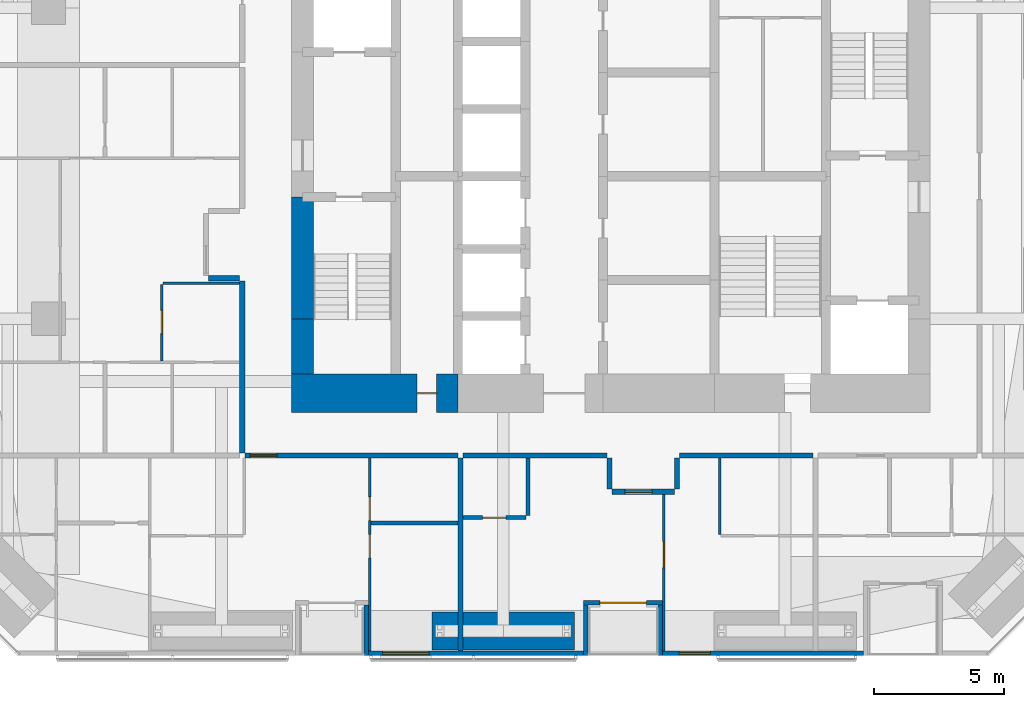
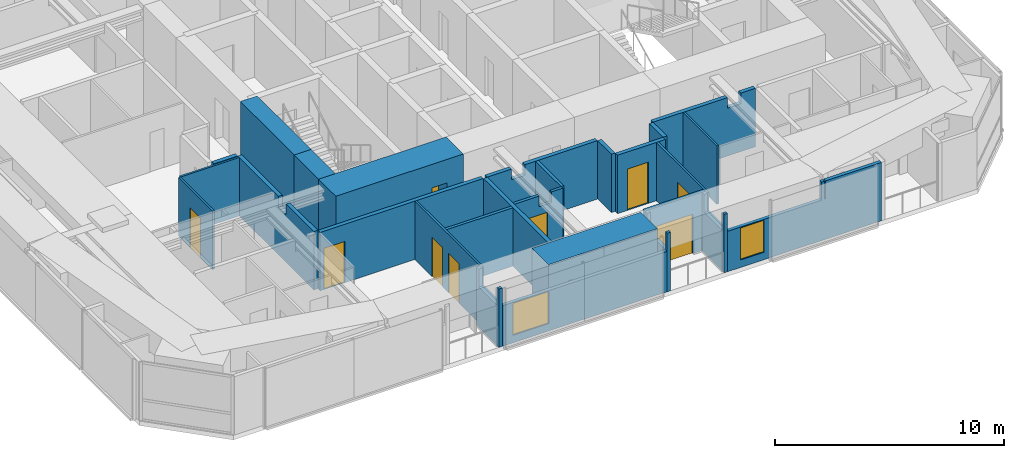
# One storey, part 17 of 23: 27 walls, 9 doors, 2 windows, 11 openings.
"""IFC4 building model written with IfcOpenShell, lengths in metres."""

from ifc_helpers import new_model, si_unit, direction, frame, frame_2d, origin, place, context, subcontext, project, spatial, polyline, rectangle, outline, extrude, material, layer, layer_set, constituent, constituent_set, type_object, element, fill, save


model = new_model("IFC4")

# Units and contexts
model_context = context("Model", 3, precision=1e-05, world=origin(), true_north=direction((0.0, 1.0)))
body_context = subcontext(model_context, "Body", "Model", "MODEL_VIEW")
ifc_project = project(units=[si_unit("LENGTHUNIT", "METRE"), si_unit("AREAUNIT", "SQUARE_METRE"), si_unit("VOLUMEUNIT", "CUBIC_METRE"), si_unit("PLANEANGLEUNIT", "RADIAN"), si_unit("MASSUNIT", "GRAM", prefix="KILO")], contexts=[model_context])

# Site, building, storey
site_placement = place(None, origin())
site = spatial("IfcSite", under=ifc_project, at=site_placement, CompositionType="ELEMENT")
building_placement = place(site_placement, origin())
building = spatial("IfcBuilding", under=site, at=building_placement, Name="Jalousie Tower", CompositionType="ELEMENT")
storey_placement = place(building_placement, frame((0.0, 0.0, 104.85009765625)))
storey = spatial("IfcBuildingStorey", under=building, at=storey_placement, Name="L28", CompositionType="ELEMENT", Elevation=104.85009765625)

# Wall
ifc_material_1 = material(Name="Concrete block ASTM C90", Category="concrete")
ifc_constituent_1 = constituent(ifc_material_1, Name="Body")
ifc_material_2 = material(Name="Render")
ifc_constituent_2 = constituent(ifc_material_2, Name="Finish")
ifc_constituent_set_1 = constituent_set(constituents=[ifc_constituent_1, ifc_constituent_2])
wall_type_1 = type_object("IfcWallType", Name="BATHROOM WALL 150", PredefinedType="PLUMBINGWALL", material=ifc_constituent_set_1)
wall_1_placement = place(storey_placement, frame((22.64990234375, 5.125, 0.0), z_axis=(0.0, 0.0, 1.0), x_axis=(1.0, 0.0, 0.0)))
element("IfcWall", 1, at=wall_1_placement, inside=storey, type_object=wall_type_1, Name="Bathroom Wall 150 L28", PredefinedType="PLUMBINGWALL", context=body_context, shape_type="SweptSolid", body=[
    extrude(rectangle(XDim=3.35009765625, YDim=0.14990234375, at=frame_2d((1.675048828125, 0.0))), origin(), (0.0, 0.0, 1.0), 3.10986328125),
])

# Wall, opening, door
wall_2_placement = place(storey_placement, frame((26.199951171875, 5.324951171875, 0.0), z_axis=(0.0, 0.0, 1.0), x_axis=(1.0, 0.0, 0.0)))
wall_2 = element("IfcWall", 2, at=wall_2_placement, inside=storey, type_object=wall_type_1, Name="Bathroom Wall 150 L28", PredefinedType="PLUMBINGWALL", context=body_context, shape_type="SweptSolid", body=[
    extrude(outline(polyline([(0.0, 0.0), (2.425048828125, 0.0), (2.425048828125, 3.10986328125), (1.8623046875, 3.10986328125), (1.8623046875, 2.541015625), (1.237548828125, 2.541015625), (1.237548828125, 3.10986328125), (0.0, 3.10986328125), (0.0, 0.0)])), frame((0.0, 0.074951171875, 0.0), z_axis=(0.0, -1.0, 0.0), x_axis=(1.0, 0.0, 0.0)), (0.0, 0.0, 1.0), 0.14990234375),
])
opening_1_placement = place(wall_2_placement, frame((0.75, 0.0, 0.0)))
opening_1 = element("IfcOpeningElement", 3, at=opening_1_placement, cuts=wall_2, Name="Opening D3", PredefinedType="OPENING", context=body_context, shape_type="SweptSolid", body=[
    extrude(rectangle(XDim=0.89990234375, YDim=2.10009765625, at=frame_2d((0.449951171875, 1.050048828125))), frame((0.0, 0.0849609375, 0.0), z_axis=(0.0, -1.0, 0.0), x_axis=(1.0, 0.0, 0.0)), (0.0, 0.0, 1.0), 0.169921875),
])
ifc_material_3 = material(Name="Timber door", Category="wood")
door_type_1 = type_object("IfcDoorType", Name="BATHROOM DOOR 900", OperationType="SINGLE_SWING_LEFT", PredefinedType="DOOR", material=ifc_material_3)
door_1_placement = place(opening_1_placement, origin())
door_1 = element("IfcDoor", 4, at=door_1_placement, inside=storey, type_object=door_type_1, Name="Apartment 2802 bathroom door", OperationType="SINGLE_SWING_LEFT", OverallHeight=2.10009765625, OverallWidth=0.89990234375, PredefinedType="DOOR", context=body_context, shape_type="SweptSolid", body=[
    extrude(rectangle(XDim=0.89990234375, YDim=2.10009765625, at=frame_2d((0.449951171875, 1.050048828125))), frame((0.0, 0.02490234375, 0.0), z_axis=(0.0, -1.0, 0.0), x_axis=(1.0, 0.0, 0.0)), (0.0, 0.0, 1.0), 0.050048828125),
])
fill(opening_1, door_1)

# Wall
wall_3_placement = place(storey_placement, frame((28.699951171875, 5.39990234375, 0.0), z_axis=(0.0, 0.0, 1.0), x_axis=(0.0, 1.0, 0.0)))
element("IfcWall", 5, at=wall_3_placement, inside=storey, type_object=wall_type_1, Name="Bathroom Wall 150 L28", PredefinedType="PLUMBINGWALL", context=body_context, shape_type="SweptSolid", body=[
    extrude(rectangle(XDim=2.22509765625, YDim=0.14990234375, at=frame_2d((1.112548828125, 0.0))), origin(), (0.0, 0.0, 1.0), 3.10986328125),
])

# Wall, opening, door
ifc_material_4 = material(Name="Concrete f'c 120 MPa", Category="concrete")
ifc_layer_1 = layer(ifc_material_4, 1.5)
ifc_layer_set_1 = layer_set([ifc_layer_1], Name="Concrete f'c 120 MPa")
wall_type_2 = type_object("IfcWallType", Name="CORE WALL 1500", PredefinedType="SHEAR", material=ifc_layer_set_1)
wall_4_placement = place(storey_placement, frame((19.574951171875, 10.125, 0.0), z_axis=(0.0, 0.0, 1.0), x_axis=(1.0, 0.0, 0.0)))
wall_4 = element("IfcWall", 6, at=wall_4_placement, inside=storey, type_object=wall_type_2, Name="Core wall SA L28", PredefinedType="SHEAR", context=body_context, shape_type="SweptSolid", body=[
    extrude(rectangle(XDim=6.425048828125, YDim=1.5, at=frame_2d((3.21240234375, 0.0))), origin(), (0.0, 0.0, 1.0), 3.349853515625),
])
opening_2_placement = place(wall_4_placement, frame((4.85009765625, 0.0, 0.0)))
opening_2 = element("IfcOpeningElement", 7, at=opening_2_placement, cuts=wall_4, Name="Opening D16", PredefinedType="OPENING", context=body_context, shape_type="SweptSolid", body=[
    extrude(rectangle(XDim=0.75, YDim=2.10009765625, at=frame_2d((0.375, 1.050048828125))), frame((0.0, 0.760009765625, 0.0), z_axis=(0.0, -1.0, 0.0), x_axis=(1.0, 0.0, 0.0)), (0.0, 0.0, 1.0), 1.52001953125),
])
ifc_material_5 = material(Name="Steel fire door", Category="steel")
door_type_2 = type_object("IfcDoorType", Name="RISER DOOR 750", OperationType="SINGLE_SWING_LEFT", PredefinedType="DOOR", material=ifc_material_5)
door_2_placement = place(opening_2_placement, origin())
door_2 = element("IfcDoor", 8, at=door_2_placement, inside=storey, type_object=door_type_2, Name="South riser door", OperationType="SINGLE_SWING_LEFT", OverallHeight=2.10009765625, OverallWidth=0.75, PredefinedType="DOOR", context=body_context, shape_type="SweptSolid", body=[
    extrude(rectangle(XDim=0.75, YDim=2.10009765625, at=frame_2d((0.375, 1.050048828125))), frame((0.0, 0.02490234375, 0.0), z_axis=(0.0, -1.0, 0.0), x_axis=(1.0, 0.0, 0.0)), (0.0, 0.0, 1.0), 0.050048828125),
])
fill(opening_2, door_2)

# Walls
ifc_material_6 = material(Name="Concrete f'c 120 MPa", Category="concrete")
ifc_layer_2 = layer(ifc_material_6, 0.85009765625)
ifc_layer_set_2 = layer_set([ifc_layer_2], Name="Concrete f'c 120 MPa")
wall_type_3 = type_object("IfcWallType", Name="CORE WALL 850", PredefinedType="SHEAR", material=ifc_layer_set_2)
wall_5_placement = place(storey_placement, frame((20.0, 17.699951171875, 0.0), z_axis=(0.0, 0.0, 1.0), x_axis=(0.0, -1.0, 0.0)))
element("IfcWall", 9, at=wall_5_placement, inside=storey, type_object=wall_type_3, Name="Core wall WC L28", PredefinedType="SHEAR", context=body_context, shape_type="SweptSolid", body=[
    extrude(rectangle(XDim=4.699951171875, YDim=0.85009765625, at=frame_2d((2.35009765625, 0.0))), origin(), (0.0, 0.0, 1.0), 3.349853515625),
])
wall_6_placement = place(storey_placement, frame((20.0, 13.0, 0.0), z_axis=(0.0, 0.0, 1.0), x_axis=(0.0, -1.0, 0.0)))
element("IfcWall", 10, at=wall_6_placement, inside=storey, type_object=wall_type_3, Name="Core wall WD L28", PredefinedType="SHEAR", context=body_context, shape_type="SweptSolid", body=[
    extrude(rectangle(XDim=2.125, YDim=0.85009765625, at=frame_2d((1.0625, 0.0))), origin(), (0.0, 0.0, 1.0), 3.349853515625),
])

# Wall, opening, door
ifc_material_7 = material(Name="Concrete block ASTM C90", Category="concrete")
ifc_constituent_3 = constituent(ifc_material_7, Name="Body")
ifc_material_8 = material(Name="Render")
ifc_constituent_4 = constituent(ifc_material_8, Name="Finish")
ifc_constituent_set_2 = constituent_set(constituents=[ifc_constituent_3, ifc_constituent_4])
wall_type_4 = type_object("IfcWallType", Name="CORRIDOR WALL 200", PredefinedType="PARTITIONING", material=ifc_constituent_set_2)
wall_7_placement = place(storey_placement, frame((17.77490234375, 7.72509765625, 0.0), z_axis=(0.0, 0.0, 1.0), x_axis=(1.0, 0.0, 0.0)))
wall_7 = element("IfcWall", 11, at=wall_7_placement, inside=storey, type_object=wall_type_4, Name="Corridor Wall 200 L28", PredefinedType="PARTITIONING", context=body_context, shape_type="SweptSolid", body=[
    extrude(rectangle(XDim=8.22509765625, YDim=0.199951171875, at=frame_2d((4.112548828125, 0.0))), origin(), (0.0, 0.0, 1.0), 3.10986328125),
])
opening_3_placement = place(wall_7_placement, frame((0.199951171875, 0.0, 0.0)))
opening_3 = element("IfcOpeningElement", 12, at=opening_3_placement, cuts=wall_7, Name="Opening D1", PredefinedType="OPENING", context=body_context, shape_type="SweptSolid", body=[
    extrude(rectangle(XDim=1.050048828125, YDim=2.199951171875, at=frame_2d((0.52490234375, 1.10009765625))), frame((0.0, 0.10986328125, 0.0), z_axis=(0.0, -1.0, 0.0), x_axis=(1.0, 0.0, 0.0)), (0.0, 0.0, 1.0), 0.219970703125),
])
ifc_material_9 = material(Name="Timber fire door", Category="wood")
door_type_3 = type_object("IfcDoorType", Name="APARTMENT ENTRANCE DOOR 1050", OperationType="SINGLE_SWING_LEFT", PredefinedType="DOOR", material=ifc_material_9)
door_3_placement = place(opening_3_placement, frame((1.050048828125, 0.0, 0.0), z_axis=(0.0, 0.0, 1.0), x_axis=(-1.0, 0.0, 0.0)))
door_3 = element("IfcDoor", 13, at=door_3_placement, inside=storey, type_object=door_type_3, Name="Apartment 2801 entrance", OperationType="SINGLE_SWING_RIGHT", OverallHeight=2.199951171875, OverallWidth=1.050048828125, PredefinedType="DOOR", context=body_context, shape_type="SweptSolid", body=[
    extrude(rectangle(XDim=1.050048828125, YDim=2.199951171875, at=frame_2d((0.52490234375, 1.10009765625))), frame((0.0, 0.02490234375, 0.0), z_axis=(0.0, -1.0, 0.0), x_axis=(1.0, 0.0, 0.0)), (0.0, 0.0, 1.0), 0.050048828125),
])
fill(opening_3, door_3)

# Walls
wall_8_placement = place(storey_placement, frame((26.199951171875, 7.72509765625, 0.0), z_axis=(0.0, 0.0, 1.0), x_axis=(1.0, 0.0, 0.0)))
element("IfcWall", 14, at=wall_8_placement, inside=storey, type_object=wall_type_4, Name="Corridor Wall 200 L28", PredefinedType="PARTITIONING", context=body_context, shape_type="SweptSolid", body=[
    extrude(outline(polyline([(0.0, 0.0), (5.550048828125, 0.0), (5.550048828125, 3.10986328125), (1.88720703125, 3.10986328125), (1.88720703125, 2.541015625), (1.212646484375, 2.541015625), (1.212646484375, 3.10986328125), (0.0, 3.10986328125), (0.0, 0.0)])), frame((0.0, 0.10009765625, 0.0), z_axis=(0.0, -1.0, 0.0), x_axis=(1.0, 0.0, 0.0)), (0.0, 0.0, 1.0), 0.199951171875),
])
wall_9_placement = place(storey_placement, frame((17.675048828125, 7.824951171875, 0.0), z_axis=(0.0, 0.0, 1.0), x_axis=(0.0, 1.0, 0.0)))
element("IfcWall", 15, at=wall_9_placement, inside=storey, type_object=wall_type_4, Name="Corridor Wall 200 L28", PredefinedType="PARTITIONING", context=body_context, shape_type="SweptSolid", body=[
    extrude(outline(polyline([(0.0, 0.0), (6.637451171875, 0.0), (6.637451171875, 3.10986328125), (3.08740234375, 3.10986328125), (3.08740234375, 2.541015625), (2.41259765625, 2.541015625), (2.41259765625, 3.10986328125), (0.0, 3.10986328125), (0.0, 0.0)])), frame((0.0, 0.10009765625, 0.0), z_axis=(0.0, -1.0, 0.0), x_axis=(1.0, 0.0, 0.0)), (0.0, 0.0, 1.0), 0.199951171875),
])
wall_10_placement = place(storey_placement, frame((34.550048828125, 7.72509765625, 0.0), z_axis=(0.0, 0.0, 1.0), x_axis=(1.0, 0.0, 0.0)))
element("IfcWall", 16, at=wall_10_placement, inside=storey, type_object=wall_type_4, Name="Corridor Wall 200 L28", PredefinedType="PARTITIONING", context=body_context, shape_type="SweptSolid", body=[
    extrude(outline(polyline([(0.0, 0.0), (5.14990234375, 0.0), (5.14990234375, 3.10986328125), (4.412353515625, 3.10986328125), (4.412353515625, 2.541015625), (3.737548828125, 2.541015625), (3.737548828125, 3.10986328125), (0.0, 3.10986328125), (0.0, 0.0)])), frame((0.0, 0.10009765625, 0.0), z_axis=(0.0, -1.0, 0.0), x_axis=(1.0, 0.0, 0.0)), (0.0, 0.0, 1.0), 0.199951171875),
])

# Wall, opening, door
wall_11_placement = place(storey_placement, frame((31.949951171875, 6.324951171875, 0.0), z_axis=(0.0, 0.0, 1.0), x_axis=(1.0, 0.0, 0.0)))
wall_11 = element("IfcWall", 17, at=wall_11_placement, inside=storey, type_object=wall_type_4, Name="Corridor Wall 200 L28", PredefinedType="PARTITIONING", context=body_context, shape_type="SweptSolid", body=[
    extrude(rectangle(XDim=2.400146484375, YDim=0.199951171875, at=frame_2d((1.2001953125, 0.0))), origin(), (0.0, 0.0, 1.0), 3.10986328125),
])
opening_4_placement = place(wall_11_placement, frame((0.5, 0.0, 0.0)))
opening_4 = element("IfcOpeningElement", 18, at=opening_4_placement, cuts=wall_11, Name="Opening D1", PredefinedType="OPENING", context=body_context, shape_type="SweptSolid", body=[
    extrude(rectangle(XDim=1.050048828125, YDim=2.199951171875, at=frame_2d((0.52490234375, 1.10009765625))), frame((0.0, 0.10986328125, 0.0), z_axis=(0.0, -1.0, 0.0), x_axis=(1.0, 0.0, 0.0)), (0.0, 0.0, 1.0), 0.219970703125),
])
door_4_placement = place(opening_4_placement, frame((1.050048828125, 0.0, 0.0), z_axis=(0.0, 0.0, 1.0), x_axis=(-1.0, 0.0, 0.0)))
door_4 = element("IfcDoor", 19, at=door_4_placement, inside=storey, type_object=door_type_3, Name="Apartment 2802 entrance", OperationType="SINGLE_SWING_LEFT", OverallHeight=2.199951171875, OverallWidth=1.050048828125, PredefinedType="DOOR", context=body_context, shape_type="SweptSolid", body=[
    extrude(rectangle(XDim=1.050048828125, YDim=2.199951171875, at=frame_2d((0.52490234375, 1.10009765625))), frame((0.0, 0.02490234375, 0.0), z_axis=(0.0, -1.0, 0.0), x_axis=(1.0, 0.0, 0.0)), (0.0, 0.0, 1.0), 0.050048828125),
])
fill(opening_4, door_4)

# Walls
for number, where, z_axis, x_axis, name in (
    (20, (31.85009765625, 7.625, 0.0), (0.0, 0.0, 1.0), (0.0, -1.0, 0.0), "Corridor Wall 200 L28"),
    (21, (34.449951171875, 7.625, 0.0), (0.0, 0.0, 1.0), (0.0, -1.0, 0.0), "Corridor Wall 200 L28"),
    (22, (17.574951171875, 14.5625, 0.0), (0.0, 0.0, 1.0), (-1.0, 0.0, 0.0), "Corridor Wall 200 L28"),
):
    element("IfcWall", number, at=place(storey_placement, frame(where, z_axis=z_axis, x_axis=x_axis)), inside=storey, type_object=wall_type_4, Name=name, PredefinedType="PARTITIONING", context=body_context, shape_type="SweptSolid", body=[
        extrude(rectangle(XDim=1.199951171875, YDim=0.199951171875, at=frame_2d((0.60009765625, 0.0))), origin(), (0.0, 0.0, 1.0), 3.10986328125),
    ])

# Wall, opening, window
ifc_material_10 = material(Name="Concrete f'c 40 MPa", Category="concrete")
ifc_constituent_5 = constituent(ifc_material_10, Name="Body")
ifc_material_11 = material(Name="Render, pastel sea green")
ifc_constituent_6 = constituent(ifc_material_11, Name="Finish")
ifc_constituent_set_3 = constituent_set(constituents=[ifc_constituent_5, ifc_constituent_6])
wall_type_5 = type_object("IfcWallType", Name="EXTERNAL WALL 175 SEA GREEN RENDER", PredefinedType="SOLIDWALL", material=ifc_constituent_set_3)
wall_12_placement = place(storey_placement, frame((22.550048828125, 0.08740234375, 0.0), z_axis=(0.0, 0.0, 1.0), x_axis=(1.0, 0.0, 0.0)))
wall_12 = element("IfcWall", 23, at=wall_12_placement, inside=storey, type_object=wall_type_5, Name="External Wall 175 Sea Green Render L28", PredefinedType="SOLIDWALL", context=body_context, shape_type="SweptSolid", body=[
    extrude(rectangle(XDim=8.300048828125, YDim=0.175048828125, at=frame_2d((4.14990234375, 0.0))), origin(), (0.0, 0.0, 1.0), 2.14990234375),
])
opening_5_placement = place(wall_12_placement, frame((0.5400390625, 0.0, 0.39990234375)))
opening_5 = element("IfcOpeningElement", 24, at=opening_5_placement, cuts=wall_12, Name="Opening W-BED170", PredefinedType="OPENING", context=body_context, shape_type="SweptSolid", body=[
    extrude(rectangle(XDim=1.800048828125, YDim=1.699951171875, at=frame_2d((0.89990234375, 0.85009765625))), frame((0.0, 0.097412109375, 0.0), z_axis=(0.0, -1.0, 0.0), x_axis=(1.0, 0.0, 0.0)), (0.0, 0.0, 1.0), 0.195068359375),
])
ifc_material_12 = material(Name="Aluminium frame, impact-rated glazing", Category="aluminium")
window_type_1 = type_object("IfcWindowType", Name="WINDOW BED 1800x1700", PartitioningType="SINGLE_PANEL", PredefinedType="WINDOW", material=ifc_material_12)
window_1_placement = place(opening_5_placement, origin())
window_1 = element("IfcWindow", 25, at=window_1_placement, inside=storey, type_object=window_type_1, Name="Apartment 2801 bedroom 3 window", OverallHeight=1.699951171875, OverallWidth=1.800048828125, PartitioningType="SINGLE_PANEL", PredefinedType="WINDOW", context=body_context, shape_type="SweptSolid", body=[
    extrude(rectangle(XDim=1.800048828125, YDim=1.699951171875, at=frame_2d((0.89990234375, 0.85009765625))), frame((0.0, 0.030029296875, 0.0), z_axis=(0.0, -1.0, 0.0), x_axis=(1.0, 0.0, 0.0)), (0.0, 0.0, 1.0), 0.06005859375),
])
fill(opening_5, window_1)

wall_13_placement = place(storey_placement, frame((33.89990234375, 0.08740234375, 0.0), z_axis=(0.0, 0.0, 1.0), x_axis=(1.0, 0.0, 0.0)))
wall_13 = element("IfcWall", 26, at=wall_13_placement, inside=storey, type_object=wall_type_5, Name="External Wall 175 Sea Green Render L28", PredefinedType="SOLIDWALL", context=body_context, shape_type="SweptSolid", body=[
    extrude(outline(polyline([(0.0, 0.0), (7.75, 0.0), (7.75, 3.10986328125), (4.92822265625, 3.10986328125), (4.92822265625, 2.14990234375), (4.883056640625, 2.14990234375), (4.883056640625, 3.10986328125), (4.72509765625, 3.10986328125), (4.72509765625, 2.14990234375), (0.0, 2.14990234375), (0.0, 0.0)])), frame((0.0, 0.08740234375, 0.0), z_axis=(0.0, -1.0, 0.0), x_axis=(1.0, 0.0, 0.0)), (0.0, 0.0, 1.0), 0.175048828125),
])
opening_6_placement = place(wall_13_placement, frame((0.639892578125, 0.0, 0.39990234375)))
opening_6 = element("IfcOpeningElement", 27, at=opening_6_placement, cuts=wall_13, Name="Opening W-COR170", PredefinedType="OPENING", context=body_context, shape_type="SweptSolid", body=[
    extrude(rectangle(XDim=1.199951171875, YDim=1.699951171875, at=frame_2d((0.60009765625, 0.85009765625))), frame((0.0, 0.097412109375, 0.0), z_axis=(0.0, -1.0, 0.0), x_axis=(1.0, 0.0, 0.0)), (0.0, 0.0, 1.0), 0.195068359375),
])
ifc_material_13 = material(Name="Aluminium frame, impact-rated glazing", Category="aluminium")
window_type_2 = type_object("IfcWindowType", Name="WINDOW COR 1200x1700", PartitioningType="SINGLE_PANEL", PredefinedType="WINDOW", material=ifc_material_13)
window_2_placement = place(opening_6_placement, origin())
window_2 = element("IfcWindow", 28, at=window_2_placement, inside=storey, type_object=window_type_2, Name="Apartment 2802 dining room window", OverallHeight=1.699951171875, OverallWidth=1.199951171875, PartitioningType="SINGLE_PANEL", PredefinedType="WINDOW", context=body_context, shape_type="SweptSolid", body=[
    extrude(rectangle(XDim=1.199951171875, YDim=1.699951171875, at=frame_2d((0.60009765625, 0.85009765625))), frame((0.0, 0.030029296875, 0.0), z_axis=(0.0, -1.0, 0.0), x_axis=(1.0, 0.0, 0.0)), (0.0, 0.0, 1.0), 0.06005859375),
])
fill(opening_6, window_2)

# Wall
wall_14_placement = place(storey_placement, frame((22.46240234375, 0.0, 0.0), z_axis=(0.0, 0.0, 1.0), x_axis=(0.0, 1.0, 0.0)))
element("IfcWall", 29, at=wall_14_placement, inside=storey, type_object=wall_type_5, Name="External Wall 175 Sea Green Render L28", PredefinedType="SOLIDWALL", context=body_context, shape_type="SweptSolid", body=[
    extrude(outline(polyline([(0.0, 0.0), (1.949951171875, 0.0), (1.949951171875, 3.10986328125), (1.75, 3.10986328125), (1.75, 2.14990234375), (0.14990234375, 2.14990234375), (0.14990234375, 3.10986328125), (0.0, 3.10986328125), (0.0, 0.0)])), frame((0.0, 0.08740234375, 0.0), z_axis=(0.0, -1.0, 0.0), x_axis=(1.0, 0.0, 0.0)), (0.0, 0.0, 1.0), 0.175048828125),
])

# Wall, opening, door
wall_15_placement = place(storey_placement, frame((30.85009765625, 2.03759765625, 0.0), z_axis=(0.0, 0.0, 1.0), x_axis=(1.0, 0.0, 0.0)))
wall_15 = element("IfcWall", 30, at=wall_15_placement, inside=storey, type_object=wall_type_5, Name="External Wall 175 Sea Green Render L28", PredefinedType="SOLIDWALL", context=body_context, shape_type="SweptSolid", body=[
    extrude(rectangle(XDim=3.0498046875, YDim=0.175048828125, at=frame_2d((1.52490234375, 0.0))), origin(), (0.0, 0.0, 1.0), 3.10986328125),
])
opening_7_placement = place(wall_15_placement, frame((0.625, 0.0, 0.0)))
opening_7 = element("IfcOpeningElement", 31, at=opening_7_placement, cuts=wall_15, Name="Opening D-BAL21", PredefinedType="OPENING", context=body_context, shape_type="SweptSolid", body=[
    extrude(rectangle(XDim=1.800048828125, YDim=2.10009765625, at=frame_2d((0.89990234375, 1.050048828125))), frame((0.0, 0.097412109375, 0.0), z_axis=(0.0, -1.0, 0.0), x_axis=(1.0, 0.0, 0.0)), (0.0, 0.0, 1.0), 0.195068359375),
])
ifc_material_14 = material(Name="Aluminium frame, impact-rated glazing", Category="aluminium")
door_type_4 = type_object("IfcDoorType", Name="BALCONY DOOR 1800x2100", OperationType="SLIDING_TO_LEFT", PredefinedType="DOOR", material=ifc_material_14)
door_5_placement = place(opening_7_placement, origin())
door_5 = element("IfcDoor", 32, at=door_5_placement, inside=storey, type_object=door_type_4, Name="Apartment 2802 studio living and sleeping room loggia door", OperationType="SLIDING_TO_LEFT", OverallHeight=2.10009765625, OverallWidth=1.800048828125, PredefinedType="DOOR", context=body_context, shape_type="SweptSolid", body=[
    extrude(rectangle(XDim=1.800048828125, YDim=2.10009765625, at=frame_2d((0.89990234375, 1.050048828125))), frame((0.0, 0.02490234375, 0.0), z_axis=(0.0, -1.0, 0.0), x_axis=(1.0, 0.0, 0.0)), (0.0, 0.0, 1.0), 0.050048828125),
])
fill(opening_7, door_5)

# Walls
for number, where, z_axis, x_axis, name in (
    (33, (30.9375, 0.0, 0.0), (0.0, 0.0, 1.0), (0.0, 1.0, 0.0), "External Wall 175 Sea Green Render L28"),
    (34, (33.8125, 0.0, 0.0), (0.0, 0.0, 1.0), (0.0, 1.0, 0.0), "External Wall 175 Sea Green Render L28"),
):
    element("IfcWall", number, at=place(storey_placement, frame(where, z_axis=z_axis, x_axis=x_axis)), inside=storey, type_object=wall_type_5, Name=name, PredefinedType="SOLIDWALL", context=body_context, shape_type="SweptSolid", body=[
        extrude(outline(polyline([(0.0, 0.0), (1.949951171875, 0.0), (1.949951171875, 3.10986328125), (1.75, 3.10986328125), (1.75, 2.14990234375), (0.14990234375, 2.14990234375), (0.14990234375, 3.10986328125), (0.0, 3.10986328125), (0.0, 0.0)])), frame((0.0, 0.08740234375, 0.0), z_axis=(0.0, -1.0, 0.0), x_axis=(1.0, 0.0, 0.0)), (0.0, 0.0, 1.0), 0.175048828125),
    ])

# Wall, openings, doors
ifc_material_15 = material(Name="Gypsum board", Category="gypsum")
ifc_constituent_7 = constituent(ifc_material_15, Name="Body")
ifc_material_16 = material(Name="Light-gauge steel studs ASTM A653 SS Grade 33", Category="steel")
ifc_constituent_8 = constituent(ifc_material_16, Name="Framing")
ifc_constituent_set_4 = constituent_set(constituents=[ifc_constituent_7, ifc_constituent_8])
wall_type_6 = type_object("IfcWallType", Name="PARTITION 100", PredefinedType="PARTITIONING", material=ifc_constituent_set_4)
wall_16_placement = place(storey_placement, frame((22.60009765625, 0.175048828125, 0.0), z_axis=(0.0, 0.0, 1.0), x_axis=(0.0, 1.0, 0.0)))
wall_16 = element("IfcWall", 35, at=wall_16_placement, inside=storey, type_object=wall_type_6, Name="Partition 100 L28", PredefinedType="PARTITIONING", context=body_context, shape_type="SweptSolid", body=[
    extrude(outline(polyline([(0.0, 0.0), (7.449951171875, 0.0), (7.449951171875, 3.10986328125), (1.635009765625, 3.10986328125), (1.635009765625, 2.14990234375), (0.0, 2.14990234375), (0.0, 3.10986328125), (0.0, 0.0)])), frame((0.0, 0.050048828125, 0.0), z_axis=(0.0, -1.0, 0.0), x_axis=(1.0, 0.0, 0.0)), (0.0, 0.0, 1.0), 0.10009765625),
])
opening_8_placement = place(wall_16_placement, frame((3.60009765625, 0.0, 0.0)))
opening_8 = element("IfcOpeningElement", 36, at=opening_8_placement, cuts=wall_16, Name="Opening D2", PredefinedType="OPENING", context=body_context, shape_type="SweptSolid", body=[
    extrude(rectangle(XDim=0.89990234375, YDim=2.10009765625, at=frame_2d((0.449951171875, 1.050048828125))), frame((0.0, 0.06005859375, 0.0), z_axis=(0.0, -1.0, 0.0), x_axis=(1.0, 0.0, 0.0)), (0.0, 0.0, 1.0), 0.1201171875),
])
opening_9_placement = place(wall_16_placement, frame((5.050048828125, 0.0, 0.0)))
opening_9 = element("IfcOpeningElement", 37, at=opening_9_placement, cuts=wall_16, Name="Opening D7", PredefinedType="OPENING", context=body_context, shape_type="SweptSolid", body=[
    extrude(rectangle(XDim=0.89990234375, YDim=2.10009765625, at=frame_2d((0.449951171875, 1.050048828125))), frame((0.0, 0.06005859375, 0.0), z_axis=(0.0, -1.0, 0.0), x_axis=(1.0, 0.0, 0.0)), (0.0, 0.0, 1.0), 0.1201171875),
])
ifc_material_17 = material(Name="Timber door", Category="wood")
door_type_5 = type_object("IfcDoorType", Name="BEDROOM DOOR 900", OperationType="SINGLE_SWING_LEFT", PredefinedType="DOOR", material=ifc_material_17)
door_6_placement = place(opening_8_placement, frame((0.89990234375, 0.0, 0.0), z_axis=(0.0, 0.0, 1.0), x_axis=(-1.0, 0.0, 0.0)))
door_6 = element("IfcDoor", 38, at=door_6_placement, inside=storey, type_object=door_type_5, Name="Apartment 2801 bedroom 3 door", OperationType="SINGLE_SWING_LEFT", OverallHeight=2.10009765625, OverallWidth=0.89990234375, PredefinedType="DOOR", context=body_context, shape_type="SweptSolid", body=[
    extrude(rectangle(XDim=0.89990234375, YDim=2.10009765625, at=frame_2d((0.449951171875, 1.050048828125))), frame((0.0, 0.02490234375, 0.0), z_axis=(0.0, -1.0, 0.0), x_axis=(1.0, 0.0, 0.0)), (0.0, 0.0, 1.0), 0.050048828125),
])
fill(opening_8, door_6)
ifc_material_18 = material(Name="Timber door", Category="wood")
door_type_6 = type_object("IfcDoorType", Name="INTERNAL DOOR 900", OperationType="SINGLE_SWING_LEFT", PredefinedType="DOOR", material=ifc_material_18)
door_7_placement = place(opening_9_placement, frame((0.89990234375, 0.0, 0.0), z_axis=(0.0, 0.0, 1.0), x_axis=(-1.0, 0.0, 0.0)))
door_7 = element("IfcDoor", 39, at=door_7_placement, inside=storey, type_object=door_type_6, Name="Apartment 2801 bathroom door", OperationType="SINGLE_SWING_RIGHT", OverallHeight=2.10009765625, OverallWidth=0.89990234375, PredefinedType="DOOR", context=body_context, shape_type="SweptSolid", body=[
    extrude(rectangle(XDim=0.89990234375, YDim=2.10009765625, at=frame_2d((0.449951171875, 1.050048828125))), frame((0.0, 0.02490234375, 0.0), z_axis=(0.0, -1.0, 0.0), x_axis=(1.0, 0.0, 0.0)), (0.0, 0.0, 1.0), 0.050048828125),
])
fill(opening_9, door_7)

# Wall
wall_17_placement = place(storey_placement, frame((36.10009765625, 4.675048828125, 0.0), z_axis=(0.0, 0.0, 1.0), x_axis=(0.0, 1.0, 0.0)))
element("IfcWall", 40, at=wall_17_placement, inside=storey, type_object=wall_type_6, Name="Partition 100 L28", PredefinedType="PARTITIONING", context=body_context, shape_type="SweptSolid", body=[
    extrude(rectangle(XDim=2.949951171875, YDim=0.10009765625, at=frame_2d((1.47509765625, 0.0))), origin(), (0.0, 0.0, 1.0), 3.10986328125),
])

# Wall, opening, door
wall_18_placement = place(storey_placement, frame((33.949951171875, 0.175048828125, 0.0), z_axis=(0.0, 0.0, 1.0), x_axis=(0.0, 1.0, 0.0)))
wall_18 = element("IfcWall", 41, at=wall_18_placement, inside=storey, type_object=wall_type_6, Name="Partition 100 L28", PredefinedType="PARTITIONING", context=body_context, shape_type="SweptSolid", body=[
    extrude(outline(polyline([(0.0, 0.0), (6.050048828125, 0.0), (6.050048828125, 3.10986328125), (1.635009765625, 3.10986328125), (1.635009765625, 2.14990234375), (0.0, 2.14990234375), (0.0, 3.10986328125), (0.0, 0.0)])), frame((0.0, 0.050048828125, 0.0), z_axis=(0.0, -1.0, 0.0), x_axis=(1.0, 0.0, 0.0)), (0.0, 0.0, 1.0), 0.10009765625),
])
opening_10_placement = place(wall_18_placement, frame((3.22509765625, 0.0, 0.0)))
opening_10 = element("IfcOpeningElement", 42, at=opening_10_placement, cuts=wall_18, Name="Opening D6", PredefinedType="OPENING", context=body_context, shape_type="SweptSolid", body=[
    extrude(rectangle(XDim=1.0, YDim=2.10009765625, at=frame_2d((0.5, 1.050048828125))), frame((0.0, 0.06005859375, 0.0), z_axis=(0.0, -1.0, 0.0), x_axis=(1.0, 0.0, 0.0)), (0.0, 0.0, 1.0), 0.1201171875),
])
ifc_material_19 = material(Name="Timber door", Category="wood")
door_type_7 = type_object("IfcDoorType", Name="INTERNAL DOOR 1000", OperationType="SINGLE_SWING_LEFT", PredefinedType="DOOR", material=ifc_material_19)
door_8_placement = place(opening_10_placement, frame((1.0, 0.0, 0.0), z_axis=(0.0, 0.0, 1.0), x_axis=(-1.0, 0.0, 0.0)))
door_8 = element("IfcDoor", 43, at=door_8_placement, inside=storey, type_object=door_type_7, Name="Apartment 2802 dining room door", OperationType="SINGLE_SWING_LEFT", OverallHeight=2.10009765625, OverallWidth=1.0, PredefinedType="DOOR", context=body_context, shape_type="SweptSolid", body=[
    extrude(rectangle(XDim=1.0, YDim=2.10009765625, at=frame_2d((0.5, 1.050048828125))), frame((0.0, 0.02490234375, 0.0), z_axis=(0.0, -1.0, 0.0), x_axis=(1.0, 0.0, 0.0)), (0.0, 0.0, 1.0), 0.050048828125),
])
fill(opening_10, door_8)

wall_19_placement = place(storey_placement, frame((14.574951171875, 11.375, 0.0), z_axis=(0.0, 0.0, 1.0), x_axis=(0.0, 1.0, 0.0)))
wall_19 = element("IfcWall", 44, at=wall_19_placement, inside=storey, type_object=wall_type_6, Name="Partition 100 L28", PredefinedType="PARTITIONING", context=body_context, shape_type="SweptSolid", body=[
    extrude(rectangle(XDim=2.949951171875, YDim=0.10009765625, at=frame_2d((1.47509765625, 0.0))), origin(), (0.0, 0.0, 1.0), 3.10986328125),
])
opening_11_placement = place(wall_19_placement, frame((1.050048828125, 0.0, 0.0)))
opening_11 = element("IfcOpeningElement", 45, at=opening_11_placement, cuts=wall_19, Name="Opening D7", PredefinedType="OPENING", context=body_context, shape_type="SweptSolid", body=[
    extrude(rectangle(XDim=0.89990234375, YDim=2.10009765625, at=frame_2d((0.449951171875, 1.050048828125))), frame((0.0, 0.06005859375, 0.0), z_axis=(0.0, -1.0, 0.0), x_axis=(1.0, 0.0, 0.0)), (0.0, 0.0, 1.0), 0.1201171875),
])
door_9_placement = place(opening_11_placement, frame((0.89990234375, 0.0, 0.0), z_axis=(0.0, 0.0, 1.0), x_axis=(-1.0, 0.0, 0.0)))
door_9 = element("IfcDoor", 46, at=door_9_placement, inside=storey, type_object=door_type_6, Name="Apartment 2805 kitchen door", OperationType="SINGLE_SWING_LEFT", OverallHeight=2.10009765625, OverallWidth=0.89990234375, PredefinedType="DOOR", context=body_context, shape_type="SweptSolid", body=[
    extrude(rectangle(XDim=0.89990234375, YDim=2.10009765625, at=frame_2d((0.449951171875, 1.050048828125))), frame((0.0, 0.02490234375, 0.0), z_axis=(0.0, -1.0, 0.0), x_axis=(1.0, 0.0, 0.0)), (0.0, 0.0, 1.0), 0.050048828125),
])
fill(opening_11, door_9)

# Walls
wall_20_placement = place(storey_placement, frame((14.625, 14.375, 0.0), z_axis=(0.0, 0.0, 1.0), x_axis=(1.0, 0.0, 0.0)))
element("IfcWall", 47, at=wall_20_placement, inside=storey, type_object=wall_type_6, Name="Partition 100 L28", PredefinedType="PARTITIONING", context=body_context, shape_type="SweptSolid", body=[
    extrude(rectangle(XDim=2.949951171875, YDim=0.10009765625, at=frame_2d((1.47509765625, 0.0))), origin(), (0.0, 0.0, 1.0), 3.10986328125),
])
ifc_material_20 = material(Name="Concrete block ASTM C90", Category="concrete")
ifc_constituent_9 = constituent(ifc_material_20, Name="Body")
ifc_material_21 = material(Name="Render")
ifc_constituent_10 = constituent(ifc_material_21, Name="Finish")
ifc_constituent_set_5 = constituent_set(constituents=[ifc_constituent_9, ifc_constituent_10])
wall_type_7 = type_object("IfcWallType", Name="PARTY WALL 200", PredefinedType="PARTITIONING", material=ifc_constituent_set_5)
wall_21_placement = place(storey_placement, frame((26.10009765625, 0.175048828125, 0.0), z_axis=(0.0, 0.0, 1.0), x_axis=(0.0, 1.0, 0.0)))
element("IfcWall", 48, at=wall_21_placement, inside=storey, type_object=wall_type_7, Name="Party Wall 200 L28", PredefinedType="PARTITIONING", context=body_context, shape_type="SweptSolid", body=[
    extrude(outline(polyline([(0.52880859375, 2.14990234375), (0.0, 2.14990234375), (0.0, 0.0), (0.52880859375, 0.0), (0.52880859375, 0.3759765625), (1.021240234375, 0.3759765625), (1.021240234375, 0.0), (7.449951171875, 0.0), (7.449951171875, 3.10986328125), (1.68505859375, 3.10986328125), (1.68505859375, 2.14990234375), (1.021240234375, 2.14990234375), (1.021240234375, 1.773681640625), (0.52880859375, 1.773681640625), (0.52880859375, 2.14990234375)])), frame((0.0, 0.10009765625, 0.0), z_axis=(0.0, -1.0, 0.0), x_axis=(1.0, 0.0, 0.0)), (0.0, 0.0, 1.0), 0.199951171875),
])
ifc_material_22 = material(Name="Concrete f'c 120 MPa", Category="concrete")
ifc_layer_3 = layer(ifc_material_22, 1.449951171875)
ifc_layer_set_3 = layer_set([ifc_layer_3], Name="Concrete f'c 120 MPa")
wall_type_8 = type_object("IfcWallType", Name="RC WALL PIER 1450", PredefinedType="SHEAR", material=ifc_layer_set_3)
wall_22_placement = place(storey_placement, frame((25.0, 0.949951171875, 0.0), z_axis=(0.0, 0.0, 1.0), x_axis=(1.0, 0.0, 0.0)))
element("IfcWall", 49, at=wall_22_placement, inside=storey, type_object=wall_type_8, Name="Wall pier 03 L28", PredefinedType="SHEAR", context=body_context, shape_type="SweptSolid", body=[
    extrude(rectangle(XDim=5.5, YDim=1.449951171875, at=frame_2d((2.75, 0.0))), origin(), (0.0, 0.0, 1.0), 3.349853515625),
])

save(model, "model.ifc")
